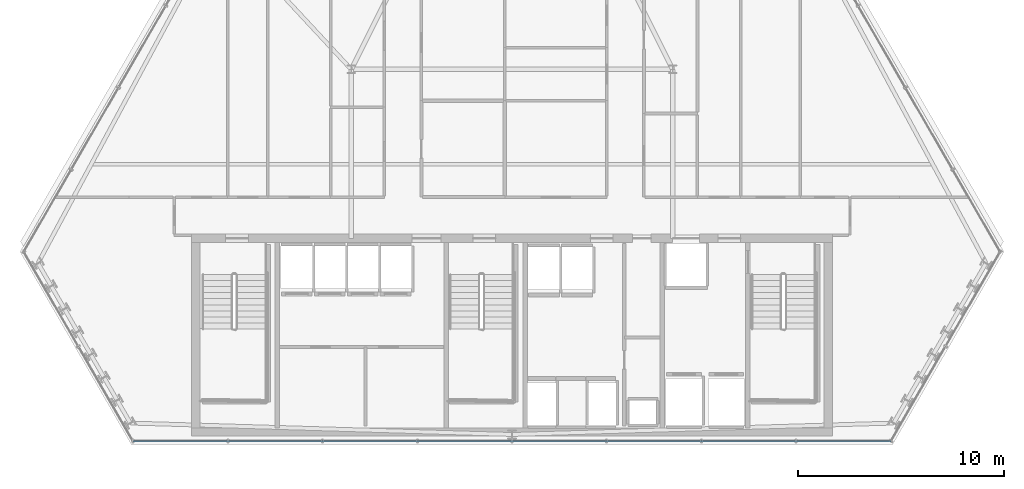
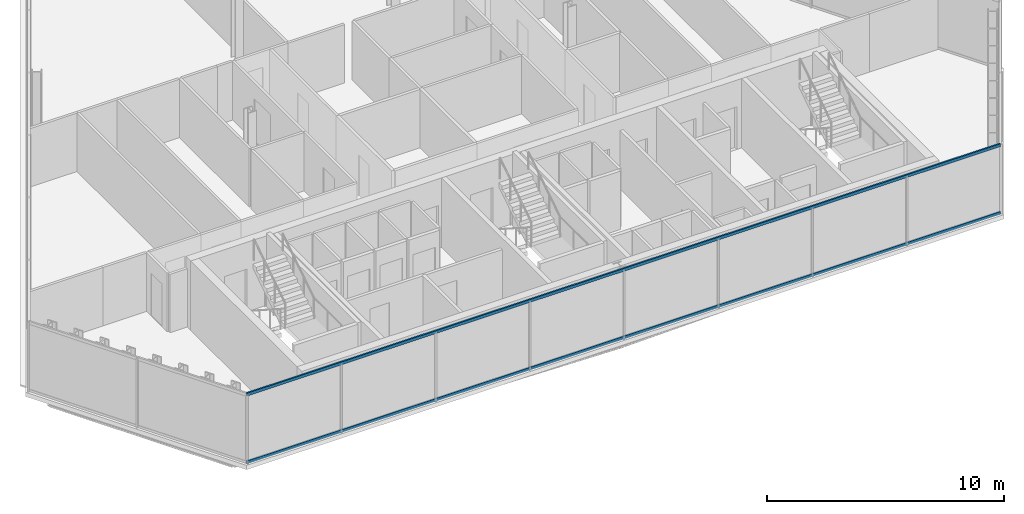
# One storey, part 8 of 33: 2 members, 1 element without a shape of its own.
"""IFC4 building model written with IfcOpenShell, lengths in metres."""

from ifc_helpers import new_model, si_unit, direction, frame, origin, origin_2d, place, context, subcontext, project, spatial, hollow_rectangle, extrude, material, layer, layer_set, material_profile, profile_set, type_object, element, aggregate, save


model = new_model("IFC4")

# Units and contexts
model_context = context("Model", 3, precision=1e-05, world=origin(), true_north=direction((0.0, 1.0)))
body_context = subcontext(model_context, "Body", "Model", "MODEL_VIEW")
ifc_project = project(units=[si_unit("LENGTHUNIT", "METRE"), si_unit("AREAUNIT", "SQUARE_METRE"), si_unit("VOLUMEUNIT", "CUBIC_METRE"), si_unit("PLANEANGLEUNIT", "RADIAN"), si_unit("MASSUNIT", "GRAM", prefix="KILO")], contexts=[model_context])

# Site, building, storey
site_placement = place(None, origin())
site = spatial("IfcSite", under=ifc_project, at=site_placement, CompositionType="ELEMENT")
building_placement = place(site_placement, origin())
building = spatial("IfcBuilding", under=site, at=building_placement, Name="Ndaravel Arena Tower", CompositionType="ELEMENT")
storey_placement = place(building_placement, frame((0.0, 0.0, 161.199951171875)))
storey = spatial("IfcBuildingStorey", under=building, at=storey_placement, Name="L38", CompositionType="ELEMENT", Elevation=161.199951171875)

# Curtain wall, members
ifc_material_1 = material(Name="Aluminium", Category="aluminium")
ifc_layer = layer(ifc_material_1, 0.179931640625)
ifc_layer_set = layer_set([ifc_layer], Name="Aluminium")
curtain_wall_type = type_object("IfcCurtainWallType", Name="CW-SYS-03", PredefinedType="NOTDEFINED", material=ifc_layer_set)
curtain_wall_placement = place(storey_placement, origin())
curtain_wall = element("IfcCurtainWall", 1, at=curtain_wall_placement, inside=storey, type_object=curtain_wall_type, Name="L38 Faceted Crystal Curtain Wall CW-L38-E01", PredefinedType="NOTDEFINED")
ifc_material_2 = material(Name="Aluminium", Category="aluminium")
ifc_material_profile = material_profile(ifc_material_2, hollow_rectangle(XDim=0.074951171875, YDim=0.14990234375, WallThickness=0.00390625, at=origin_2d()), Name="CW TRANSOM 75x150x4")
ifc_profile_set = profile_set([ifc_material_profile], Name="Aluminium")
member_type = type_object("IfcMemberType", Name="MEM-CW-TRN150", PredefinedType="USERDEFINED", material=ifc_profile_set)
member_1_placement = place(storey_placement, frame((23.609619140625, 5.159912109375, 0.0400390625), z_axis=(1.0, 0.0, 0.0), x_axis=(0.0, 1.0, 0.0)))
member_1 = element("IfcMember", 2, at=member_1_placement, type_object=member_type, Name="CW-L38-E01 Transom 01", ObjectType="TRANSOM", PredefinedType="USERDEFINED", context=body_context, shape_type="SweptSolid", body=[
    extrude(hollow_rectangle(XDim=0.074951171875, YDim=0.14990234375, WallThickness=0.00390625, at=origin_2d()), origin(), (0.0, 0.0, 1.0), 36.78076171875),
])
member_2_placement = place(storey_placement, frame((23.609619140625, 5.159912109375, 3.5400390625), z_axis=(1.0, 0.0, 0.0), x_axis=(0.0, 1.0, 0.0)))
member_2 = element("IfcMember", 3, at=member_2_placement, type_object=member_type, Name="CW-L38-E01 Transom 02", ObjectType="TRANSOM", PredefinedType="USERDEFINED", context=body_context, shape_type="SweptSolid", body=[
    extrude(hollow_rectangle(XDim=0.074951171875, YDim=0.14990234375, WallThickness=0.00390625, at=origin_2d()), origin(), (0.0, 0.0, 1.0), 36.78076171875),
])
aggregate(curtain_wall, [member_1, member_2])

save(model, "model.ifc")
